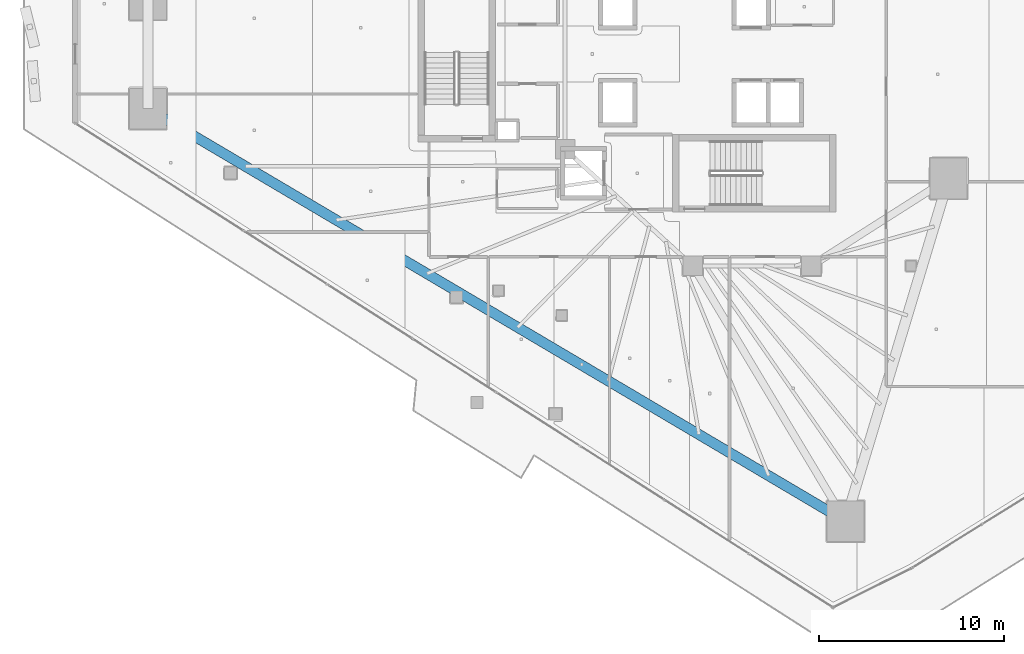
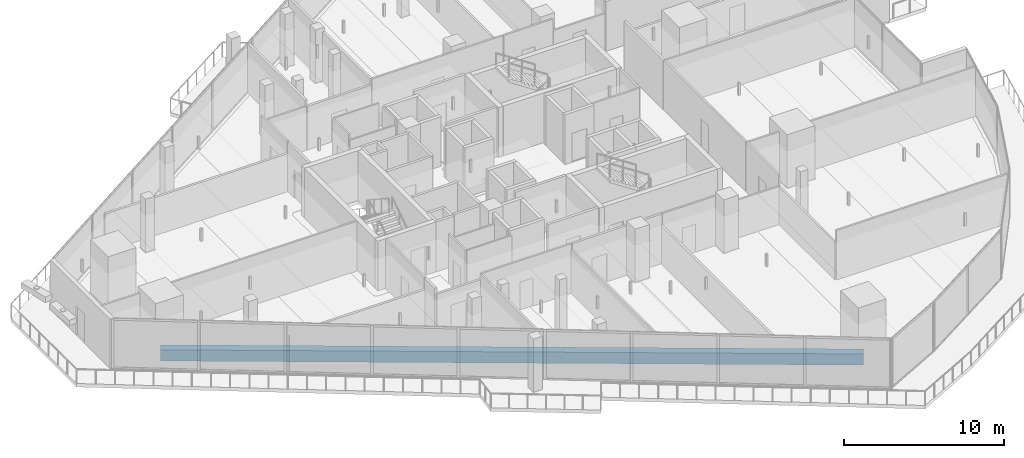
# One storey, part 3 of 39: 1 beam.
"""IFC4 building model written with IfcOpenShell, lengths in metres."""

from ifc_helpers import new_model, si_unit, direction, frame, origin, origin_2d, place, context, subcontext, project, spatial, rectangle, extrude, material, material_profile, profile_set, type_object, element, save


model = new_model("IFC4")

# Units and contexts
model_context = context("Model", 3, precision=1e-05, world=origin(), true_north=direction((0.0, 1.0)))
body_context = subcontext(model_context, "Body", "Model", "MODEL_VIEW")
ifc_project = project(units=[si_unit("LENGTHUNIT", "METRE"), si_unit("AREAUNIT", "SQUARE_METRE"), si_unit("VOLUMEUNIT", "CUBIC_METRE"), si_unit("PLANEANGLEUNIT", "RADIAN"), si_unit("MASSUNIT", "GRAM", prefix="KILO")], contexts=[model_context])

# Site, building, storey
site_placement = place(None, origin())
site = spatial("IfcSite", under=ifc_project, at=site_placement, CompositionType="ELEMENT")
building_placement = place(site_placement, origin())
building = spatial("IfcBuilding", under=site, at=building_placement, Name="Qorvath Tower", CompositionType="ELEMENT")
storey_placement = place(building_placement, frame((0.0, 0.0, 142.199951171875)))
storey = spatial("IfcBuildingStorey", under=building, at=storey_placement, Name="L32", CompositionType="ELEMENT", Elevation=142.199951171875)

# Beam
ifc_material = material(Name="Concrete C50/60", Category="concrete")
ifc_material_profile = material_profile(ifc_material, rectangle(XDim=0.550048828125, YDim=0.85009765625, at=origin_2d()), Name="RCB 850x550")
ifc_profile_set = profile_set([ifc_material_profile], Name="Concrete C50/60")
beam_type = type_object("IfcBeamType", Name="BM-RCB2", PredefinedType="SPANDREL", material=ifc_profile_set)
beam_placement = place(storey_placement, frame((-53.04931640625, -2.95068359375, -0.695068359375), z_axis=(0.860775142889, -0.508985415689, 0.0), x_axis=(0.508985415689, 0.860775142889, 0.0)))
element("IfcBeam", 1, at=beam_placement, inside=storey, type_object=beam_type, Name="Perimeter Loggia Frame Beam MC2-MC3 L32", PredefinedType="SPANDREL", context=body_context, shape_type="SweptSolid", body=[
    extrude(rectangle(XDim=0.550048828125, YDim=0.85009765625, at=origin_2d()), origin(), (0.0, 0.0, 1.0), 43.8037109375),
])

save(model, "model.ifc")
